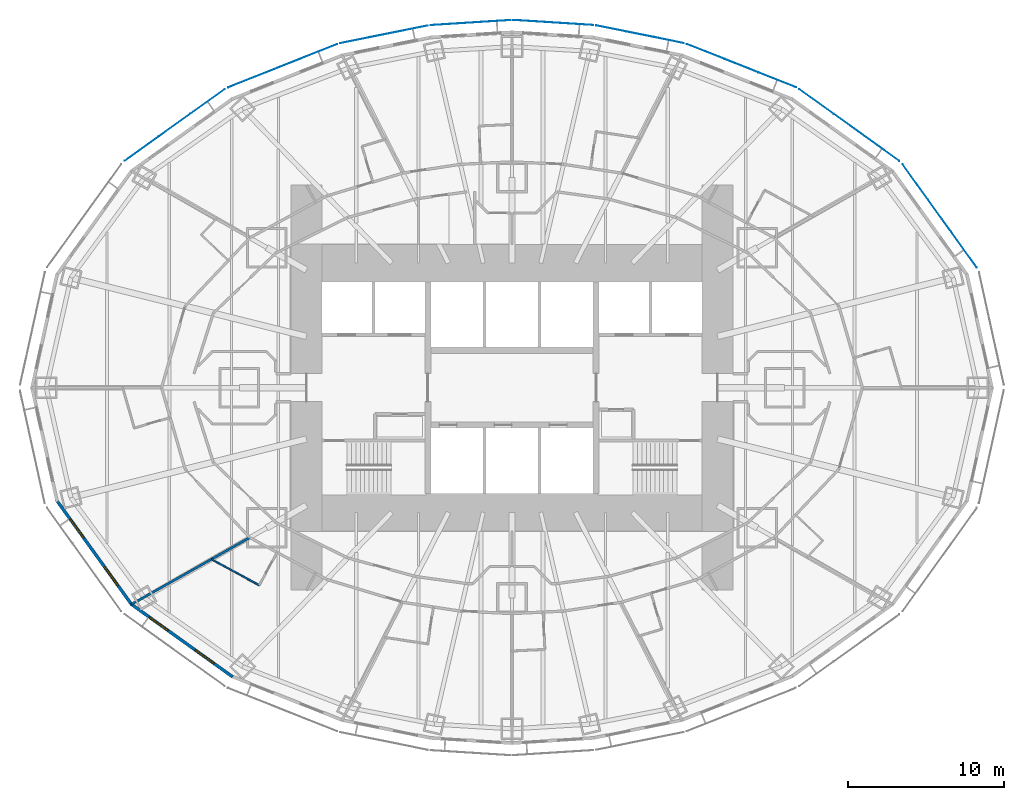
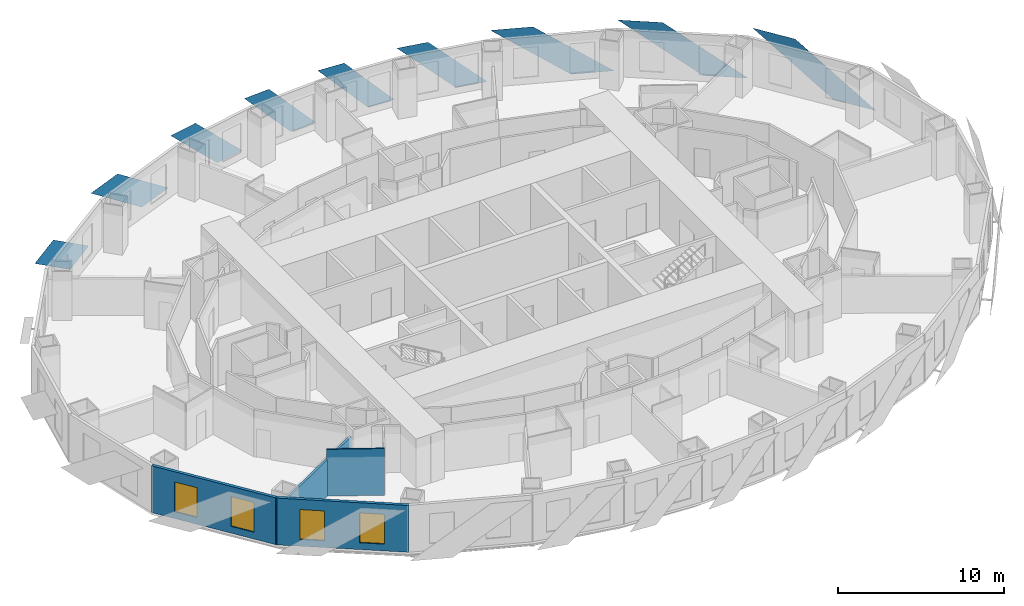
# One storey, part 4 of 15: 9 plates, 4 walls, 4 windows, 4 openings.
"""IFC4 building model written with IfcOpenShell, lengths in metres."""

from ifc_helpers import new_model, si_unit, direction, frame, frame_2d, origin, place, context, subcontext, project, spatial, polyline, rectangle, outline, extrude, material, layer, layer_set, type_object, element, fill, save


model = new_model("IFC4")

# Units and contexts
model_context = context("Model", 3, precision=1e-05, world=origin(), true_north=direction((0.0, 1.0)))
body_context = subcontext(model_context, "Body", "Model", "MODEL_VIEW")
ifc_project = project(units=[si_unit("LENGTHUNIT", "METRE"), si_unit("AREAUNIT", "SQUARE_METRE"), si_unit("VOLUMEUNIT", "CUBIC_METRE"), si_unit("PLANEANGLEUNIT", "RADIAN"), si_unit("MASSUNIT", "GRAM", prefix="KILO")], contexts=[model_context])

# Site, building, storey
site_placement = place(None, origin())
site = spatial("IfcSite", under=ifc_project, at=site_placement, CompositionType="ELEMENT")
building_placement = place(site_placement, origin())
building = spatial("IfcBuilding", under=site, at=building_placement, Name="Lantaw Convention Tower", CompositionType="ELEMENT")
storey_placement = place(building_placement, frame((0.0, 0.0, 87.39990234375)))
storey = spatial("IfcBuildingStorey", under=building, at=storey_placement, Name="L20", CompositionType="ELEMENT", Elevation=87.39990234375)

# Plates
ifc_material_1 = material(Name="Perforated aluminium sheet, pale silver finish", Category="aluminium")
ifc_layer_1 = layer(ifc_material_1, 0.006103515625)
ifc_layer_set_1 = layer_set([ifc_layer_1], Name="Perforated aluminium solar SCREEN panel")
plate_type = type_object("IfcPlateType", Name="Perforated aluminium solar SCREEN panel", PredefinedType="SHEET", material=ifc_layer_set_1)
plate_1_placement = place(storey_placement, frame((29.847900390625, 7.720947265625, -0.1748046875), z_axis=(0.811791382613, 0.583947558463, 9.019268e-06), x_axis=(-0.583947558486, 0.811791382646, 0.0)))
element("IfcPlate", 1, at=plate_1_placement, inside=storey, type_object=plate_type, Name="Solar SCREEN panel", PredefinedType="SHEET", context=body_context, shape_type="SweptSolid", body=[
    extrude(outline(polyline([(0.0, 0.0), (2.809541672291133, 0.0), (8.163093158837512, 3.739990234527119), (5.353551486546379, 3.739990234527119), (0.0, 0.0)])), origin(), (0.0, 0.0, -1.0), 0.006103515625),
])
plate_2_placement = place(storey_placement, frame((24.872314453125, 14.555908203125, -0.1748046875), z_axis=(0.582561421998, 0.812786681331, 1.5819417e-05), x_axis=(-0.812786681433, 0.582561422071, 0.0)))
element("IfcPlate", 2, at=plate_2_placement, inside=storey, type_object=plate_type, Name="Solar SCREEN panel", PredefinedType="SHEET", context=body_context, shape_type="SweptSolid", body=[
    extrude(outline(polyline([(0.0, 0.0), (2.721095180812288, 3.3881317890172014e-21), (7.903118572410756, 3.739990234842974), (5.182023391598468, 3.739990234842974), (0.0, 0.0)])), origin(), (0.0, 0.0, -1.0), 0.006103515625),
])
plate_3_placement = place(storey_placement, frame((18.232177734375, 19.278076171875, -0.1748046875), z_axis=(-0.369183532846, -0.929356508016, 9.163296e-06), x_axis=(-0.929356508055, 0.369183532862, 0.0)))
element("IfcPlate", 3, at=plate_3_placement, inside=storey, type_object=plate_type, Name="Solar SCREEN panel", PredefinedType="SHEET", context=body_context, shape_type="SweptSolid", body=[
    extrude(outline(polyline([(0.0, 0.0), (2.594936467166582, -1.6940658945086007e-21), (7.5321069917580825, -3.739990234532016), (4.937170524591499, -3.739990234532016), (0.0, 0.0)])), origin(), (0.0, 0.0, -1.0), 0.006103515625),
])
plate_4_placement = place(storey_placement, frame((11.03271484375, 22.117919921875, -0.1748046875), z_axis=(-0.197781876197, -0.980246055561, 2.418535e-06), x_axis=(-0.980246055563, 0.197781876198, 1.46e-10)))
element("IfcPlate", 4, at=plate_4_placement, inside=storey, type_object=plate_type, Name="Solar SCREEN panel", PredefinedType="SHEET", context=body_context, shape_type="SweptSolid", body=[
    extrude(outline(polyline([(0.0, 0.0), (1.9867801772236329, -3.1763735522036263e-22), (5.743587245978565, -3.7399902335493134), (3.7568553553458006, -3.739990234128105), (0.0, 0.0)])), origin(), (0.0, 0.0, -1.0), 0.006103515625),
])
plate_5_placement = place(storey_placement, frame((5.221923828125, 23.27783203125, -0.1748046875), z_axis=(-0.062923905251, -0.998018327468, 1.3605496e-05), x_axis=(-0.998018327561, 0.062923905257, 9.3e-10)))
element("IfcPlate", 5, at=plate_5_placement, inside=storey, type_object=plate_type, Name="Solar SCREEN panel", PredefinedType="SHEET", context=body_context, shape_type="SweptSolid", body=[
    extrude(outline(polyline([(0.0, 0.0), (1.7828375409377817, -2.117582368135751e-22), (5.143985963027618, -3.739990229938699), (3.3611637843713935, -3.7399902332537565), (0.0, 0.0)])), origin(), (0.0, 0.0, -1.0), 0.006103515625),
])
plate_6_placement = place(storey_placement, frame((-0.088134765625, 23.6015625, -0.1748046875), z_axis=(-0.062923905251, 0.998018327468, 1.3605496e-05), x_axis=(-0.998018327561, -0.062923905257, -9.3e-10)))
element("IfcPlate", 6, at=plate_6_placement, inside=storey, type_object=plate_type, Name="Solar SCREEN panel", PredefinedType="SHEET", context=body_context, shape_type="SweptSolid", body=[
    extrude(outline(polyline([(0.0, 0.0), (1.782822178656225, -2.117582368135751e-22), (5.143985956073316, 3.7399902395036517), (3.3611484151355353, 3.7399902361885653), (0.0, 0.0)])), origin(), (0.0, 0.0, -1.0), 0.006103515625),
])
plate_7_placement = place(storey_placement, frame((-5.402587890625, 23.25390625, -0.1748046875), z_axis=(-0.197781876197, 0.980246055561, 2.418535e-06), x_axis=(-0.980246055563, -0.197781876198, -1.46e-10)))
element("IfcPlate", 7, at=plate_7_placement, inside=storey, type_object=plate_type, Name="Solar SCREEN panel", PredefinedType="SHEET", context=body_context, shape_type="SweptSolid", body=[
    extrude(outline(polyline([(0.0, 0.0), (1.9867318906327642, 1.0587911840678754e-22), (5.743587244888999, 3.7399902352225842), (3.7568070676653664, 3.7399902346437783), (0.0, 0.0)])), origin(), (0.0, 0.0, -1.0), 0.006103515625),
])
plate_8_placement = place(storey_placement, frame((-11.232177734375, 22.058837890625, -0.1748046875), z_axis=(-0.369183532846, 0.929356508016, 9.163296e-06), x_axis=(-0.929356508055, -0.369183532862, 0.0)))
element("IfcPlate", 8, at=plate_8_placement, inside=storey, type_object=plate_type, Name="Solar SCREEN panel", PredefinedType="SHEET", context=body_context, shape_type="SweptSolid", body=[
    extrude(outline(polyline([(0.0, 0.0), (2.594936467166582, 1.6940658945086007e-21), (7.5321069917580825, 3.739990234532016), (4.937170524591499, 3.739990234532016), (0.0, 0.0)])), origin(), (0.0, 0.0, -1.0), 0.006103515625),
])
plate_9_placement = place(storey_placement, frame((-18.44873046875, 19.159912109375, -0.1748046875), z_axis=(0.582561421998, -0.812786681331, 1.5819417e-05), x_axis=(-0.812786681433, -0.582561422071, 0.0)))
element("IfcPlate", 9, at=plate_9_placement, inside=storey, type_object=plate_type, Name="Solar SCREEN panel", PredefinedType="SHEET", context=body_context, shape_type="SweptSolid", body=[
    extrude(outline(polyline([(0.0, 0.0), (2.721095180812288, -3.3881317890172014e-21), (7.903118572410756, -3.739990234842974), (5.182023391598468, -3.739990234842974), (0.0, 0.0)])), origin(), (0.0, 0.0, -1.0), 0.006103515625),
])

# Wall
ifc_material_2 = material(Name="Moisture resistant gypsum board on steel studs", Category="steel")
ifc_layer_2 = layer(ifc_material_2, 0.10009765625)
ifc_layer_set_2 = layer_set([ifc_layer_2], Name="Bathroom wall 100")
wall_type_1 = type_object("IfcWallType", Name="Bathroom wall 100", PredefinedType="PARTITIONING", material=ifc_layer_set_2)
wall_1_placement = place(storey_placement, frame((-16.224853515625, -12.683837890625, 0.0), z_axis=(0.0, 0.0, 1.0), x_axis=(-0.878473578893, 0.477790928322, 0.0)))
element("IfcWall", 10, at=wall_1_placement, inside=storey, type_object=wall_type_1, Name="Bathroom wall 100", PredefinedType="PARTITIONING", context=body_context, shape_type="SweptSolid", body=[
    extrude(rectangle(XDim=3.48291015625, YDim=0.10009765625, at=frame_2d((1.741455078125, 0.0))), origin(), (0.0, 0.0, 1.0), 3.4501953125),
])

# Wall, openings, windows
ifc_material_3 = material(Name="Insulated aluminium panel on steel frame", Category="steel")
ifc_layer_3 = layer(ifc_material_3, 0.199951171875)
ifc_layer_set_3 = layer_set([ifc_layer_3], Name="External wall 200")
wall_type_2 = type_object("IfcWallType", Name="External wall 200", PredefinedType="SOLIDWALL", material=ifc_layer_set_3)
wall_2_placement = place(storey_placement, frame((-29.260498046875, -7.199951171875, 0.0), z_axis=(0.0, 0.0, 1.0), x_axis=(0.583937613703, -0.811798536155, 0.0)))
wall_2 = element("IfcWall", 11, at=wall_2_placement, inside=storey, type_object=wall_type_2, Name="Facade panel wall", PredefinedType="SOLIDWALL", context=body_context, shape_type="SweptSolid", body=[
    extrude(rectangle(XDim=8.322998046875, YDim=0.199951171875, at=frame_2d((4.16162109375, 0.0))), origin(), (0.0, 0.0, 1.0), 3.4501953125),
])
opening_1_placement = place(wall_2_placement, frame((1.53076171875, 0.0, 0.5)))
opening_1 = element("IfcOpeningElement", 12, at=opening_1_placement, cuts=wall_2, Name="Opening W2", PredefinedType="OPENING", context=body_context, shape_type="SweptSolid", body=[
    extrude(rectangle(XDim=1.5, YDim=2.199951171875, at=frame_2d((0.75, 1.10009765625))), frame((0.0, 0.10986328125, 0.0), z_axis=(0.0, -1.0, 0.0), x_axis=(1.0, 0.0, 0.0)), (0.0, 0.0, 1.0), 0.219970703125),
])
opening_2_placement = place(wall_2_placement, frame((5.292236328125, 0.0, 0.5)))
opening_2 = element("IfcOpeningElement", 13, at=opening_2_placement, cuts=wall_2, Name="Opening W2", PredefinedType="OPENING", context=body_context, shape_type="SweptSolid", body=[
    extrude(rectangle(XDim=1.5, YDim=2.199951171875, at=frame_2d((0.75, 1.10009765625))), frame((0.0, 0.10986328125, 0.0), z_axis=(0.0, -1.0, 0.0), x_axis=(1.0, 0.0, 0.0)), (0.0, 0.0, 1.0), 0.219970703125),
])
ifc_material_4 = material(Name="Aluminium frame, clear insulating glass", Category="aluminium")
window_type = type_object("IfcWindowType", Name="Suite window 1500x2200", PartitioningType="SINGLE_PANEL", PredefinedType="WINDOW", material=ifc_material_4)
window_1_placement = place(opening_1_placement, origin())
window_1 = element("IfcWindow", 14, at=window_1_placement, inside=storey, type_object=window_type, Name="Guest room window", OverallHeight=2.199951171875, OverallWidth=1.5, PartitioningType="SINGLE_PANEL", PredefinedType="WINDOW", context=body_context, shape_type="SweptSolid", body=[
    extrude(rectangle(XDim=1.5, YDim=2.199951171875, at=frame_2d((0.75, 1.10009765625))), frame((0.0, 0.030029296875, 0.0), z_axis=(0.0, -1.0, 0.0), x_axis=(1.0, 0.0, 0.0)), (0.0, 0.0, 1.0), 0.06005859375),
])
fill(opening_1, window_1)
window_2_placement = place(opening_2_placement, origin())
window_2 = element("IfcWindow", 15, at=window_2_placement, inside=storey, type_object=window_type, Name="Guest room window", OverallHeight=2.199951171875, OverallWidth=1.5, PartitioningType="SINGLE_PANEL", PredefinedType="WINDOW", context=body_context, shape_type="SweptSolid", body=[
    extrude(rectangle(XDim=1.5, YDim=2.199951171875, at=frame_2d((0.75, 1.10009765625))), frame((0.0, 0.030029296875, 0.0), z_axis=(0.0, -1.0, 0.0), x_axis=(1.0, 0.0, 0.0)), (0.0, 0.0, 1.0), 0.06005859375),
])
fill(opening_2, window_2)

wall_3_placement = place(storey_placement, frame((-24.482421875, -13.87451171875, 0.0), z_axis=(0.0, 0.0, 1.0), x_axis=(0.812791321576, -0.582554948112, 0.0)))
wall_3 = element("IfcWall", 16, at=wall_3_placement, inside=storey, type_object=wall_type_2, Name="Facade panel wall", PredefinedType="SOLIDWALL", context=body_context, shape_type="SweptSolid", body=[
    extrude(rectangle(XDim=8.063232421875, YDim=0.199951171875, at=frame_2d((4.03173828125, 0.0))), origin(), (0.0, 0.0, 1.0), 3.4501953125),
])
opening_3_placement = place(wall_3_placement, frame((1.4658203125, 0.0, 0.5)))
opening_3 = element("IfcOpeningElement", 17, at=opening_3_placement, cuts=wall_3, Name="Opening W2", PredefinedType="OPENING", context=body_context, shape_type="SweptSolid", body=[
    extrude(rectangle(XDim=1.5, YDim=2.199951171875, at=frame_2d((0.75, 1.10009765625))), frame((0.0, 0.10986328125, 0.0), z_axis=(0.0, -1.0, 0.0), x_axis=(1.0, 0.0, 0.0)), (0.0, 0.0, 1.0), 0.219970703125),
])
opening_4_placement = place(wall_3_placement, frame((5.097412109375, 0.0, 0.5)))
opening_4 = element("IfcOpeningElement", 18, at=opening_4_placement, cuts=wall_3, Name="Opening W2", PredefinedType="OPENING", context=body_context, shape_type="SweptSolid", body=[
    extrude(rectangle(XDim=1.5, YDim=2.199951171875, at=frame_2d((0.75, 1.10009765625))), frame((0.0, 0.10986328125, 0.0), z_axis=(0.0, -1.0, 0.0), x_axis=(1.0, 0.0, 0.0)), (0.0, 0.0, 1.0), 0.219970703125),
])
window_3_placement = place(opening_3_placement, origin())
window_3 = element("IfcWindow", 19, at=window_3_placement, inside=storey, type_object=window_type, Name="Guest room window", OverallHeight=2.199951171875, OverallWidth=1.5, PartitioningType="SINGLE_PANEL", PredefinedType="WINDOW", context=body_context, shape_type="SweptSolid", body=[
    extrude(rectangle(XDim=1.5, YDim=2.199951171875, at=frame_2d((0.75, 1.10009765625))), frame((0.0, 0.030029296875, 0.0), z_axis=(0.0, -1.0, 0.0), x_axis=(1.0, 0.0, 0.0)), (0.0, 0.0, 1.0), 0.06005859375),
])
fill(opening_3, window_3)
window_4_placement = place(opening_4_placement, origin())
window_4 = element("IfcWindow", 20, at=window_4_placement, inside=storey, type_object=window_type, Name="Guest room window", OverallHeight=2.199951171875, OverallWidth=1.5, PartitioningType="SINGLE_PANEL", PredefinedType="WINDOW", context=body_context, shape_type="SweptSolid", body=[
    extrude(rectangle(XDim=1.5, YDim=2.199951171875, at=frame_2d((0.75, 1.10009765625))), frame((0.0, 0.030029296875, 0.0), z_axis=(0.0, -1.0, 0.0), x_axis=(1.0, 0.0, 0.0)), (0.0, 0.0, 1.0), 0.06005859375),
])
fill(opening_4, window_4)

# Wall
ifc_material_5 = material(Name="Gypsum board on steel studs, acoustic", Category="steel")
ifc_layer_4 = layer(ifc_material_5, 0.14990234375)
ifc_layer_set_4 = layer_set([ifc_layer_4], Name="Guest room party wall 150")
wall_type_3 = type_object("IfcWallType", Name="Guest room party wall 150", PredefinedType="PARTITIONING", material=ifc_layer_set_4)
wall_4_placement = place(storey_placement, frame((-24.434814453125, -13.90869140625, 0.0), z_axis=(0.0, 0.0, 1.0), x_axis=(0.87090601027, 0.491449612143, 0.0)))
element("IfcWall", 21, at=wall_4_placement, inside=storey, type_object=wall_type_3, Name="Guest room party wall 150", PredefinedType="PARTITIONING", context=body_context, shape_type="SweptSolid", body=[
    extrude(rectangle(XDim=8.726318359375, YDim=0.14990234375, at=frame_2d((4.36328125, 0.0))), origin(), (0.0, 0.0, 1.0), 2.693115234375),
])

save(model, "model.ifc")
